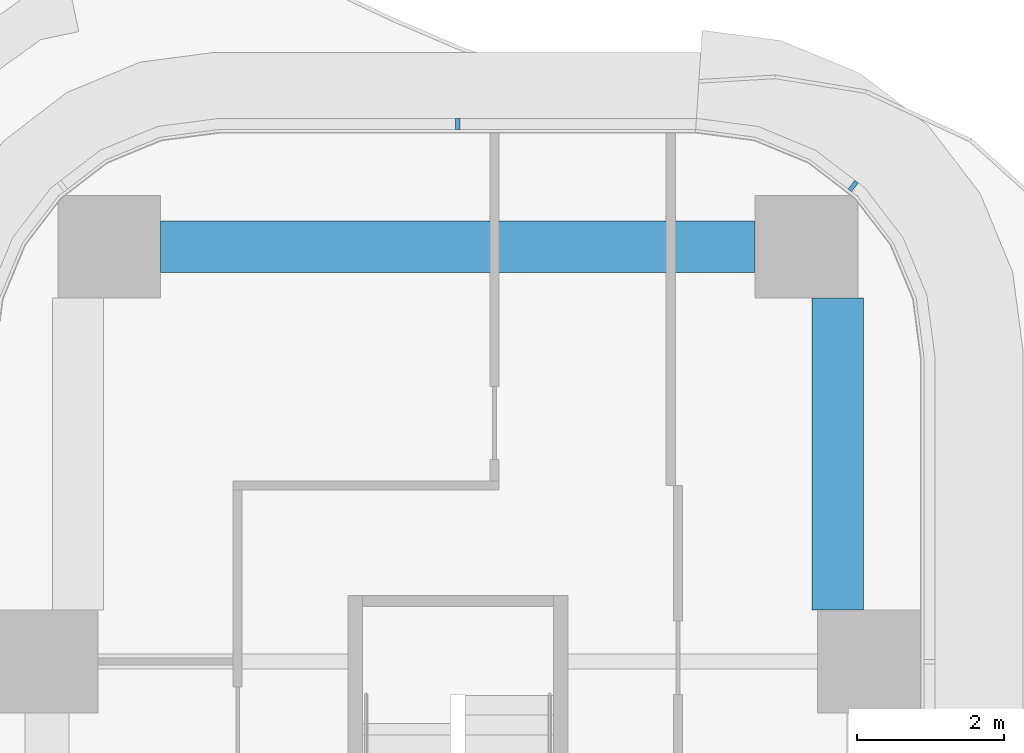
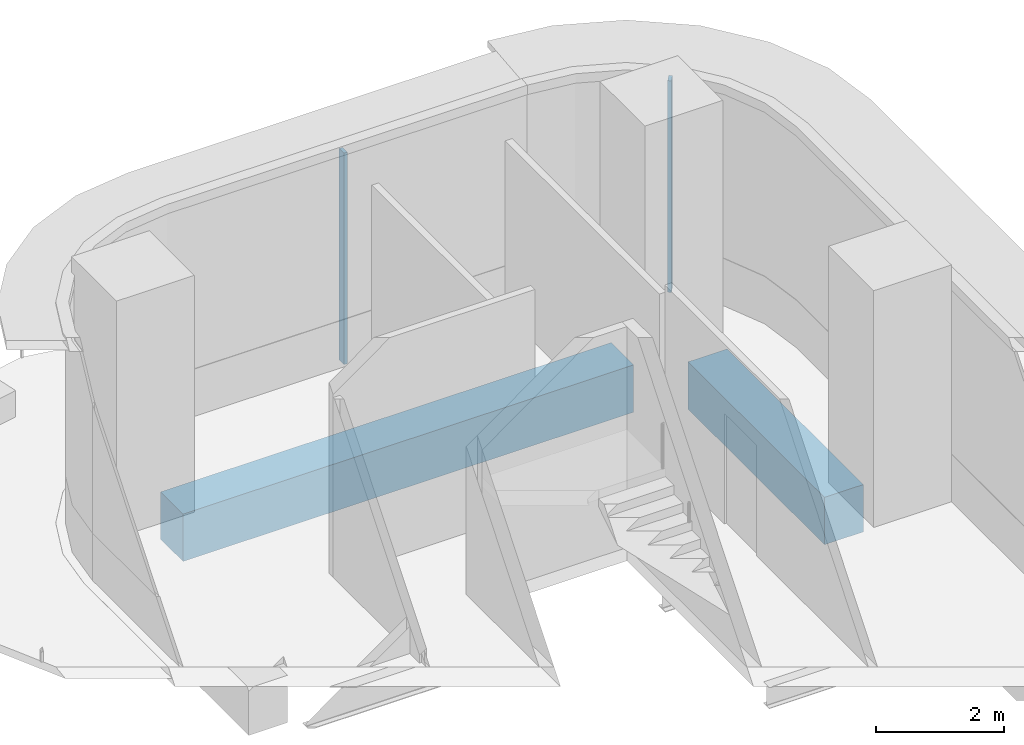
# One storey, part 12 of 22: 2 beams, 2 members, 2 elements without a shape of their own.
"""IFC4 building model written with IfcOpenShell, lengths in metres."""

from ifc_helpers import new_model, si_unit, direction, frame, origin, origin_2d, place, context, subcontext, project, spatial, rectangle, extrude, source, transform, mapped, material, layer, layer_set, material_profile, profile_set, type_object, element, aggregate, save


model = new_model("IFC4")

# Units and contexts
model_context = context("Model", 3, precision=1e-05, world=origin(), true_north=direction((0.0, 1.0)))
body_context = subcontext(model_context, "Body", "Model", "MODEL_VIEW")
ifc_project = project(units=[si_unit("LENGTHUNIT", "METRE"), si_unit("AREAUNIT", "SQUARE_METRE"), si_unit("VOLUMEUNIT", "CUBIC_METRE"), si_unit("PLANEANGLEUNIT", "RADIAN"), si_unit("MASSUNIT", "GRAM", prefix="KILO")], contexts=[model_context])

# Site, building, storey
site_placement = place(None, origin())
site = spatial("IfcSite", under=ifc_project, at=site_placement, CompositionType="ELEMENT")
building_placement = place(site_placement, origin())
building = spatial("IfcBuilding", under=site, at=building_placement, Name="Trellis Farm Tower", CompositionType="ELEMENT")
storey_placement = place(building_placement, frame((0.0, 0.0, 88.0)))
storey = spatial("IfcBuildingStorey", under=building, at=storey_placement, Name="L18", CompositionType="ELEMENT", Elevation=88.0)

# Beams
ifc_material_1 = material(Name="Concrete C60/75", Category="concrete")
ifc_material_profile_1 = material_profile(ifc_material_1, rectangle(XDim=0.699951171875, YDim=0.89990234375, at=origin_2d()), Name="RC spandrel beam 700x900 C60/75")
ifc_profile_set_1 = profile_set([ifc_material_profile_1], Name="Concrete C60/75")
beam_type = type_object("IfcBeamType", Name="RC spandrel beam 700x900 C60/75", PredefinedType="SPANDREL", material=ifc_profile_set_1)
shared_shape_1 = source(origin(), body_context, "Body", "SweptSolid", [
    extrude(rectangle(XDim=0.699951171875, YDim=0.89990234375, at=origin_2d()), origin(), (0.0, 0.0, 1.0), 4.25),
])
beam_1_placement = place(storey_placement, frame((5.175048828125, 19.300048828125, -0.699951171875), z_axis=(0.0, 1.0, 0.0), x_axis=(-1.0, 0.0, 0.0)))
element("IfcBeam", 1, at=beam_1_placement, inside=storey, type_object=beam_type, Name="Girder", PredefinedType="SPANDREL", context=body_context, shape_type="MappedRepresentation", body=[
    mapped(shared_shape_1, transform((0.0, 0.0, 0.0))),
])
shared_shape_2 = source(origin(), body_context, "Body", "SweptSolid", [
    extrude(rectangle(XDim=0.699951171875, YDim=0.89990234375, at=origin_2d()), origin(), (0.0, 0.0, 1.0), 8.10009765625),
])
beam_2_placement = place(storey_placement, frame((-4.050048828125, 24.25, -0.699951171875), z_axis=(1.0, 0.0, 0.0), x_axis=(0.0, 1.0, 0.0)))
element("IfcBeam", 2, at=beam_2_placement, inside=storey, type_object=beam_type, Name="Girder", PredefinedType="SPANDREL", context=body_context, shape_type="MappedRepresentation", body=[
    mapped(shared_shape_2, transform((0.0, 0.0, 0.0))),
])

# Curtain wall, member
ifc_material_2 = material(Name="Aluminium and glass curtain wall", Category="aluminium")
ifc_layer = layer(ifc_material_2, 0.18994140625)
ifc_layer_set = layer_set([ifc_layer], Name="RIBBON CURTAIN WALL CW1")
curtain_wall_type = type_object("IfcCurtainWallType", Name="RIBBON CURTAIN WALL CW1", PredefinedType="NOTDEFINED", material=ifc_layer_set)
placement = place(storey_placement, origin())
curtain_wall_1 = element("IfcCurtainWall", 3, at=placement, inside=storey, type_object=curtain_wall_type, Name="CW1 009", PredefinedType="NOTDEFINED")
ifc_material_3 = material(Name="Aluminium extrusion 6063-T6", Category="aluminium")
ifc_material_profile_2 = material_profile(ifc_material_3, rectangle(XDim=0.06005859375, YDim=0.14990234375, at=origin_2d()), Name="MULLION 60x150")
ifc_profile_set_2 = profile_set([ifc_material_profile_2], Name="Aluminium extrusion 6063-T6")
member_type = type_object("IfcMemberType", Name="CW1 MULLION 60x150", PredefinedType="MULLION", material=ifc_profile_set_2)
shared_shape_3 = source(origin(), body_context, "Body", "SweptSolid", [
    extrude(rectangle(XDim=0.06005859375, YDim=0.14990234375, at=origin_2d()), origin(), (0.0, 0.0, 1.0), 4.02001953125),
])
member_1_placement = place(storey_placement, frame((5.385498046875, 25.078369140625, 0.0), z_axis=(0.0, 0.0, 1.0), x_axis=(-0.793353340291, 0.608761429009, 0.0)))
member_1 = element("IfcMember", 4, at=member_1_placement, type_object=member_type, Name="MU1 009-03", PredefinedType="MULLION", context=body_context, shape_type="MappedRepresentation", body=[
    mapped(shared_shape_3, transform((0.0, 0.0, 0.0))),
])
aggregate(curtain_wall_1, [member_1])

curtain_wall_2 = element("IfcCurtainWall", 5, at=placement, inside=storey, type_object=curtain_wall_type, Name="CW1 010", PredefinedType="NOTDEFINED")
member_2_placement = place(storey_placement, frame((0.0, 25.925048828125, 0.0), z_axis=(0.0, 0.0, 1.0), x_axis=(-1.0, 0.0, 0.0)))
member_2 = element("IfcMember", 6, at=member_2_placement, type_object=member_type, Name="MU1 010-01", PredefinedType="MULLION", context=body_context, shape_type="MappedRepresentation", body=[
    mapped(shared_shape_3, transform((0.0, 0.0, 0.0))),
])
aggregate(curtain_wall_2, [member_2])

save(model, "model.ifc")
